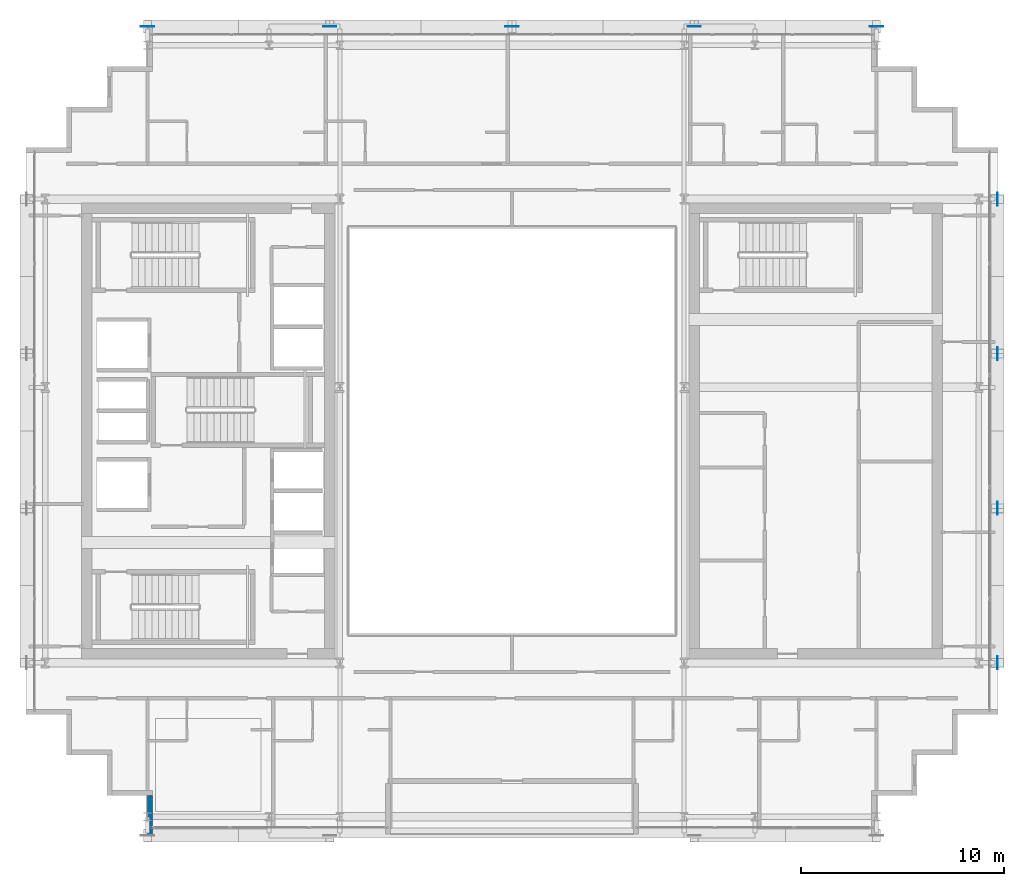
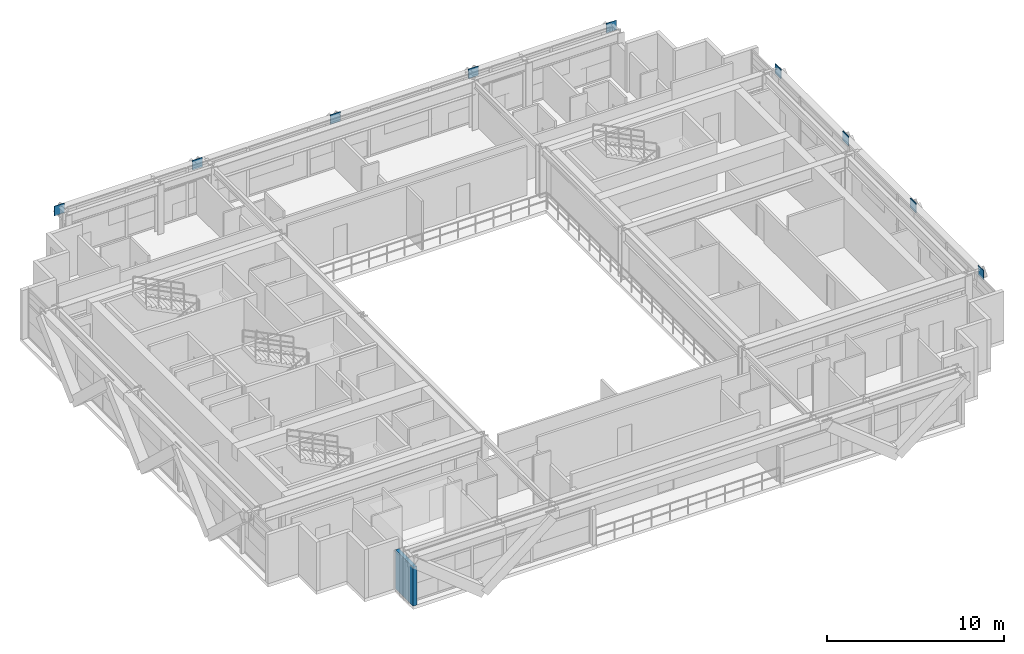
# One storey, part 23 of 32: 9 plates, 1 wall.
"""IFC4 building model written with IfcOpenShell, lengths in metres."""

from ifc_helpers import new_model, si_unit, direction, frame, frame_2d, origin, origin_2d, place, context, subcontext, project, spatial, rectangle, extrude, source, transform, mapped, material, layer, layer_set, type_object, element, save


model = new_model("IFC4")

# Units and contexts
model_context = context("Model", 3, precision=1e-05, world=origin(), true_north=direction((0.0, 1.0)))
body_context = subcontext(model_context, "Body", "Model", "MODEL_VIEW")
ifc_project = project(units=[si_unit("LENGTHUNIT", "METRE"), si_unit("AREAUNIT", "SQUARE_METRE"), si_unit("VOLUMEUNIT", "CUBIC_METRE"), si_unit("PLANEANGLEUNIT", "RADIAN"), si_unit("MASSUNIT", "GRAM", prefix="KILO")], contexts=[model_context])

# Site, building, storey
site_placement = place(None, origin())
site = spatial("IfcSite", under=ifc_project, at=site_placement, CompositionType="ELEMENT")
building_placement = place(site_placement, origin())
building = spatial("IfcBuilding", under=site, at=building_placement, Name="Ocotamira Hotel", CompositionType="ELEMENT")
storey_placement = place(building_placement, frame((0.0, 0.0, 177.60009765625)))
storey = spatial("IfcBuildingStorey", under=building, at=storey_placement, Name="L44", CompositionType="ELEMENT", Elevation=177.60009765625)

# Plates
ifc_material_1 = material(Name="Pale-metal coated steel ASTM A572 Grade 50", Category="steel")
ifc_layer_1 = layer(ifc_material_1, 0.0400390625)
ifc_layer_set_1 = layer_set([ifc_layer_1], Name="Pale-metal coated steel ASTM A572 Grade 50")
plate_type = type_object("IfcPlateType", Name="PLT-GUSSET-40", PredefinedType="SHEET", material=ifc_layer_set_1)
shared_shape_1 = source(origin(), body_context, "Body", "SweptSolid", [
    extrude(rectangle(XDim=0.64990234375, YDim=0.0400390625, at=origin_2d()), origin(), (0.0, 0.0, 1.0), 0.64990234375),
])
for number, where, z_axis, x_axis, name in (
    (1, (14.0, 45.969970703125, 2.794921875), (0.0, 0.0, 1.0), (-1.0, 0.0, 0.0), "L44 Exoskeleton Diagrid N0.1 End Gusset B"),
    (2, (23.0, 45.969970703125, 2.794921875), (0.0, 0.0, 1.0), (1.0, 0.0, 0.0), "L44 Exoskeleton Diagrid N0.2 End Gusset B"),
    (3, (32.0, 45.969970703125, 2.794921875), (0.0, 0.0, 1.0), (1.0, 0.0, 0.0), "L44 Exoskeleton Diagrid N1.2 End Gusset B"),
    (4, (41.0, 45.969970703125, 2.794921875), (0.0, 0.0, 1.0), (1.0, 0.0, 0.0), "L44 Exoskeleton Diagrid N2.2 End Gusset B"),
    (5, (50.0, 45.969970703125, 2.794921875), (0.0, 0.0, 1.0), (1.0, 0.0, 0.0), "L44 Exoskeleton Diagrid N3.2 End Gusset B"),
):
    element("IfcPlate", number, at=place(storey_placement, frame(where, z_axis=z_axis, x_axis=x_axis)), inside=storey, type_object=plate_type, Name=name, PredefinedType="SHEET", context=body_context, shape_type="MappedRepresentation", body=[
        mapped(shared_shape_1, transform((0.0, 0.0, 0.0), scale=1.0)),
    ])
shared_shape_2 = source(origin(), body_context, "Body", "SweptSolid", [
    extrude(rectangle(XDim=0.0400390625, YDim=0.64990234375, at=origin_2d()), origin(), (0.0, 0.0, 1.0), 0.64990234375),
])
for number, where, z_axis, x_axis, name in (
    (6, (55.969970703125, 14.550048828125, 2.794921875), (0.0, 0.0, 1.0), (1.0, 0.0, 0.0), "L44 Exoskeleton Diagrid E0.1 End Gusset B"),
    (7, (55.969970703125, 22.183349609375, 2.794921875), (0.0, 0.0, 1.0), (1.0, 0.0, 0.0), "L44 Exoskeleton Diagrid E0.2 End Gusset B"),
    (8, (55.969970703125, 29.816650390625, 2.794921875), (0.0, 0.0, 1.0), (1.0, 0.0, 0.0), "L44 Exoskeleton Diagrid E1.2 End Gusset B"),
    (9, (55.969970703125, 37.449951171875, 2.794921875), (0.0, 0.0, 1.0), (1.0, 0.0, 0.0), "L44 Exoskeleton Diagrid E2.2 End Gusset B"),
):
    element("IfcPlate", number, at=place(storey_placement, frame(where, z_axis=z_axis, x_axis=x_axis)), inside=storey, type_object=plate_type, Name=name, PredefinedType="SHEET", context=body_context, shape_type="MappedRepresentation", body=[
        mapped(shared_shape_2, transform((0.0, 0.0, 0.0), scale=1.0)),
    ])

# Wall
ifc_material_2 = material(Name="Precast concrete C45/55", Category="concrete")
ifc_layer_2 = layer(ifc_material_2, 0.25)
ifc_layer_set_2 = layer_set([ifc_layer_2], Name="Precast concrete C45/55")
wall_type = type_object("IfcWallType", Name="WL-EXT-SER-250", PredefinedType="SOLIDWALL", material=ifc_layer_set_2)
wall_placement = place(storey_placement, frame((14.125, 8.0, 0.0), z_axis=(0.0, 0.0, 1.0), x_axis=(0.0, -1.0, 0.0)))
element("IfcWall", 10, at=wall_placement, inside=storey, type_object=wall_type, Name="L44 Serrated Corner Wall 24", PredefinedType="SOLIDWALL", context=body_context, shape_type="SweptSolid", body=[
    extrude(rectangle(XDim=2.0, YDim=0.25, at=frame_2d((1.0, 0.0))), origin(), (0.0, 0.0, 1.0), 2.677001953125),
])

save(model, "model.ifc")
